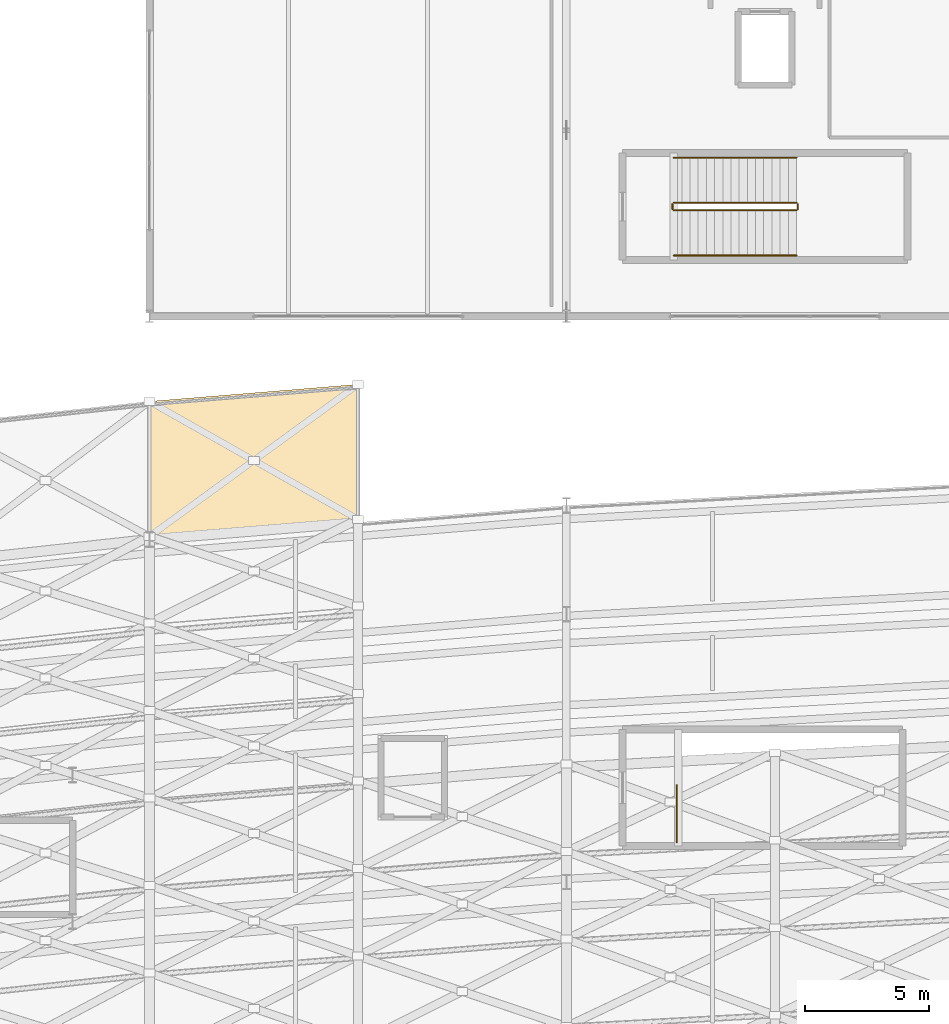
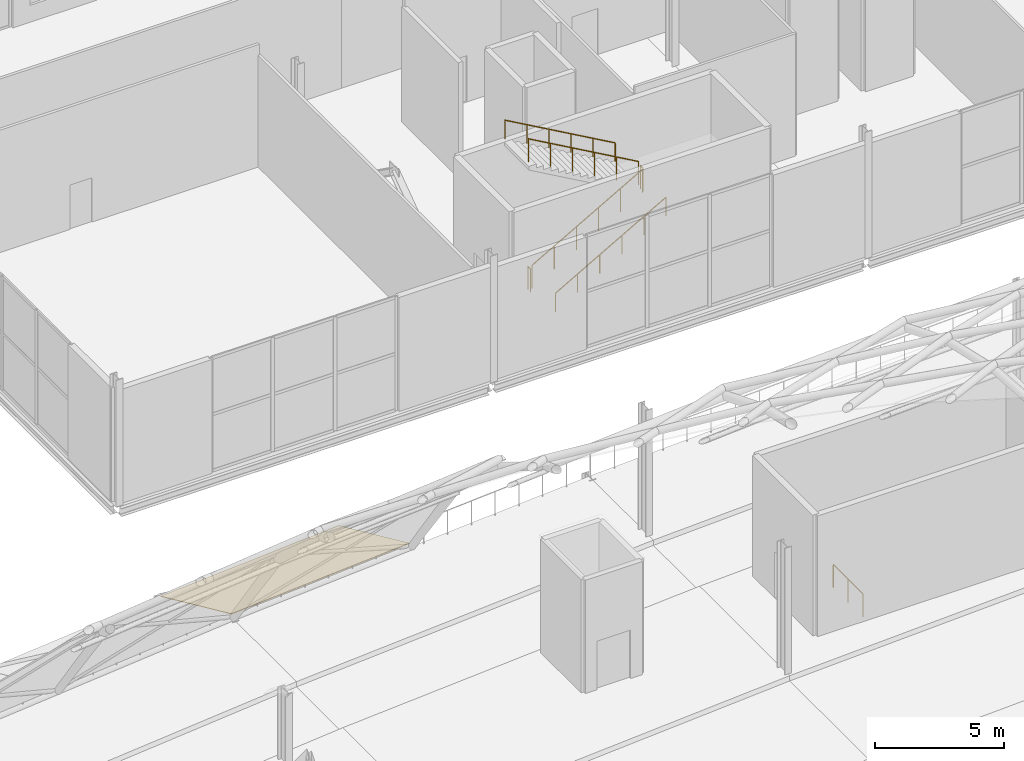
# One storey, part 92 of 100: 7 railings, 1 covering, 1 element without a shape of its own.
"""IFC4 building model written with IfcOpenShell, lengths in metres."""

from ifc_helpers import new_model, si_unit, direction, frame, origin, origin_2d, place, context, subcontext, project, spatial, polyline, circle, outline, extrude, material, layer, layer_set, type_object, element, aggregate, save


model = new_model("IFC4")

# Units and contexts
model_context = context("Model", 3, precision=1e-05, world=origin(), true_north=direction((0.0, 1.0)))
body_context = subcontext(model_context, "Body", "Model", "MODEL_VIEW")
ifc_project = project(units=[si_unit("LENGTHUNIT", "METRE"), si_unit("AREAUNIT", "SQUARE_METRE"), si_unit("VOLUMEUNIT", "CUBIC_METRE"), si_unit("PLANEANGLEUNIT", "RADIAN"), si_unit("MASSUNIT", "GRAM", prefix="KILO")], contexts=[model_context])

# Site, building, storey
site_placement = place(None, origin())
site = spatial("IfcSite", under=ifc_project, at=site_placement, CompositionType="ELEMENT")
building_placement = place(site_placement, origin())
building = spatial("IfcBuilding", under=site, at=building_placement, Name="Kimbaza Rail Terminus", CompositionType="ELEMENT")
storey_placement = place(building_placement, frame((0.0, 0.0, 10.800048828125)))
storey = spatial("IfcBuildingStorey", under=building, at=storey_placement, Name="L02", CompositionType="ELEMENT", Elevation=10.800048828125)

# Roof, covering
ifc_material_1 = material(Name="White painted steel S355", Category="steel")
roof_type = type_object("IfcRoofType", Name="ARC-RF-BARREL", PredefinedType="BARREL_ROOF", material=ifc_material_1)
roof_placement = place(storey_placement, origin())
roof = element("IfcRoof", 1, at=roof_placement, inside=storey, type_object=roof_type, Name="Train Shed Woven Barrel Vault Roof Bay 03", PredefinedType="BARREL_ROOF")
ifc_material_2 = material(Name="Pearl-white fluoropolymer standing-seam roofing", Category="aluminium")
ifc_layer = layer(ifc_material_2, 0.02490234375)
ifc_layer_set = layer_set([ifc_layer], Name="Pearl-white fluoropolymer standing-seam roofing")
covering_type = type_object("IfcCoveringType", Name="ARC-COV-VAULT", PredefinedType="ROOFING", material=ifc_layer_set)
covering_placement = place(storey_placement, frame((55.205078125, 94.072021484375, 0.146484375), z_axis=(-0.033768916948, 0.413566939027, 0.909847265859), x_axis=(0.996682983687, 0.081382000647, 0.0)))
covering = element("IfcCovering", 2, at=covering_placement, type_object=covering_type, Name="Vault Standing-Seam Eave Roofing Bay 03", PredefinedType="ROOFING", context=body_context, shape_type="SweptSolid", body=[
    extrude(outline(polyline([(0.0, 0.0), (8.417814606496611, 0.0), (8.86541561005365, 6.024919363909756), (0.44760100355704097, 6.024919363909756), (0.0, 0.0)])), origin(), (0.0, 0.0, -1.0), 0.02490234375),
])
aggregate(roof, [covering])

# Railings
ifc_material_3 = material(Name="Brushed stainless steel handrail", Category="steel")
railing_type_1 = type_object("IfcRailingType", Name="ARC-RL-HND92", PredefinedType="HANDRAIL", material=ifc_material_3)
railing_1_placement = place(storey_placement, frame((76.320068359375, 105.449951171875, 0.1875)))
element("IfcRailing", 3, at=railing_1_placement, inside=storey, type_object=railing_type_1, Name="L02 ST-W1 stair handrail 1", PredefinedType="HANDRAIL", context=body_context, shape_type="SweptSolid", body=[
    extrude(circle(Radius=0.02392578125, at=origin_2d()), frame((0.0, 0.0, 0.8759765625), z_axis=(0.869454464302, 0.0, 0.494013091431), x_axis=(0.0, 1.0, 0.0)), (0.0, 0.0, 1.0), 5.693115234375),
    extrude(circle(Radius=0.02099609375, at=origin_2d()), origin(), (0.0, 0.0, 1.0), 0.851806640625),
    extrude(circle(Radius=0.02099609375, at=origin_2d()), frame((0.989990234375, 0.0, 0.5625)), (0.0, 0.0, 1.0), 0.851806640625),
    extrude(circle(Radius=0.02099609375, at=origin_2d()), frame((1.97998046875, 0.0, 1.125)), (0.0, 0.0, 1.0), 0.851806640625),
    extrude(circle(Radius=0.02099609375, at=origin_2d()), frame((2.969970703125, 0.0, 1.6875)), (0.0, 0.0, 1.0), 0.851806640625),
    extrude(circle(Radius=0.02099609375, at=origin_2d()), frame((3.9599609375, 0.0, 2.25)), (0.0, 0.0, 1.0), 0.851806640625),
    extrude(circle(Radius=0.02099609375, at=origin_2d()), frame((4.949951171875, 0.0, 2.8125)), (0.0, 0.0, 1.0), 0.851806640625),
])
railing_2_placement = place(storey_placement, frame((81.27001953125, 109.389892578125, 3.1875)))
element("IfcRailing", 4, at=railing_2_placement, inside=storey, type_object=railing_type_1, Name="L02 ST-W1 stair handrail 2", PredefinedType="HANDRAIL", context=body_context, shape_type="SweptSolid", body=[
    extrude(circle(Radius=0.02392578125, at=origin_2d()), frame((0.0, 0.0, 0.8759765625), z_axis=(-0.869454464302, 0.0, 0.494013091431), x_axis=(0.0, -1.0, 0.0)), (0.0, 0.0, 1.0), 5.693115234375),
    extrude(circle(Radius=0.02099609375, at=origin_2d()), origin(), (0.0, 0.0, 1.0), 0.851806640625),
    extrude(circle(Radius=0.02099609375, at=origin_2d()), frame((-0.989990234375, 0.0, 0.5625)), (0.0, 0.0, 1.0), 0.851806640625),
    extrude(circle(Radius=0.02099609375, at=origin_2d()), frame((-1.97998046875, 0.0, 1.125)), (0.0, 0.0, 1.0), 0.851806640625),
    extrude(circle(Radius=0.02099609375, at=origin_2d()), frame((-2.969970703125, 0.0, 1.6875)), (0.0, 0.0, 1.0), 0.851806640625),
    extrude(circle(Radius=0.02099609375, at=origin_2d()), frame((-3.9599609375, 0.0, 2.25)), (0.0, 0.0, 1.0), 0.851806640625),
    extrude(circle(Radius=0.02099609375, at=origin_2d()), frame((-4.949951171875, 0.0, 2.8125)), (0.0, 0.0, 1.0), 0.851806640625),
])
ifc_material_4 = material(Name="Painted tubular steel stair well guard", Category="steel")
railing_type_2 = type_object("IfcRailingType", Name="ARC-RL-STGRD", PredefinedType="GUARDRAIL", material=ifc_material_4)
railing_3_placement = place(storey_placement, frame((76.320068359375, 107.27001953125, 0.1875)))
element("IfcRailing", 5, at=railing_3_placement, inside=storey, type_object=railing_type_2, Name="L02 ST-W1 stair guard 1", PredefinedType="GUARDRAIL", context=body_context, shape_type="SweptSolid", body=[
    extrude(circle(Radius=0.02392578125, at=origin_2d()), frame((0.0, 0.0, 1.09619140625), z_axis=(0.869454464302, 0.0, 0.494013091431), x_axis=(0.0, 1.0, 0.0)), (0.0, 0.0, 1.0), 5.693115234375),
    extrude(circle(Radius=0.02099609375, at=origin_2d()), origin(), (0.0, 0.0, 1.0), 1.072021484375),
    extrude(circle(Radius=0.02099609375, at=origin_2d()), frame((0.989990234375, 0.0, 0.5625)), (0.0, 0.0, 1.0), 1.072021484375),
    extrude(circle(Radius=0.02099609375, at=origin_2d()), frame((1.97998046875, 0.0, 1.125)), (0.0, 0.0, 1.0), 1.072021484375),
    extrude(circle(Radius=0.02099609375, at=origin_2d()), frame((2.969970703125, 0.0, 1.6875)), (0.0, 0.0, 1.0), 1.072021484375),
    extrude(circle(Radius=0.02099609375, at=origin_2d()), frame((3.9599609375, 0.0, 2.25)), (0.0, 0.0, 1.0), 1.072021484375),
    extrude(circle(Radius=0.02099609375, at=origin_2d()), frame((4.949951171875, 0.0, 2.8125)), (0.0, 0.0, 1.0), 1.072021484375),
])
railing_4_placement = place(storey_placement, frame((81.320068359375, 107.320068359375, 3.0)))
element("IfcRailing", 6, at=railing_4_placement, inside=storey, type_object=railing_type_2, Name="L02 ST-W1 stair guard 2", PredefinedType="GUARDRAIL", context=body_context, shape_type="SweptSolid", body=[
    extrude(circle(Radius=0.02392578125, at=origin_2d()), frame((0.0, 0.0, 1.09619140625), z_axis=(0.0, 1.0, 0.0), x_axis=(-1.0, 0.0, 0.0)), (0.0, 0.0, 1.0), 0.199951171875),
    extrude(circle(Radius=0.02099609375, at=origin_2d()), origin(), (0.0, 0.0, 1.0), 1.072021484375),
    extrude(circle(Radius=0.02099609375, at=origin_2d()), frame((0.0, 0.199951171875, 0.0)), (0.0, 0.0, 1.0), 1.072021484375),
])
railing_5_placement = place(storey_placement, frame((81.27001953125, 107.570068359375, 3.1875)))
element("IfcRailing", 7, at=railing_5_placement, inside=storey, type_object=railing_type_2, Name="L02 ST-W1 stair guard 3", PredefinedType="GUARDRAIL", context=body_context, shape_type="SweptSolid", body=[
    extrude(circle(Radius=0.02392578125, at=origin_2d()), frame((0.0, 0.0, 1.09619140625), z_axis=(-0.869454464302, 0.0, 0.494013091431), x_axis=(0.0, -1.0, 0.0)), (0.0, 0.0, 1.0), 5.693115234375),
    extrude(circle(Radius=0.02099609375, at=origin_2d()), origin(), (0.0, 0.0, 1.0), 1.072021484375),
    extrude(circle(Radius=0.02099609375, at=origin_2d()), frame((-0.989990234375, 0.0, 0.5625)), (0.0, 0.0, 1.0), 1.072021484375),
    extrude(circle(Radius=0.02099609375, at=origin_2d()), frame((-1.97998046875, 0.0, 1.125)), (0.0, 0.0, 1.0), 1.072021484375),
    extrude(circle(Radius=0.02099609375, at=origin_2d()), frame((-2.969970703125, 0.0, 1.6875)), (0.0, 0.0, 1.0), 1.072021484375),
    extrude(circle(Radius=0.02099609375, at=origin_2d()), frame((-3.9599609375, 0.0, 2.25)), (0.0, 0.0, 1.0), 1.072021484375),
    extrude(circle(Radius=0.02099609375, at=origin_2d()), frame((-4.949951171875, 0.0, 2.8125)), (0.0, 0.0, 1.0), 1.072021484375),
])
railing_6_placement = place(storey_placement, frame((76.27001953125, 107.320068359375, 0.0)))
element("IfcRailing", 8, at=railing_6_placement, inside=storey, type_object=railing_type_2, Name="L02 ST-W1 stair guard 4", PredefinedType="GUARDRAIL", context=body_context, shape_type="SweptSolid", body=[
    extrude(circle(Radius=0.02392578125, at=origin_2d()), frame((0.0, 0.0, 1.09619140625), z_axis=(0.0, 1.0, 0.0), x_axis=(-1.0, 0.0, 0.0)), (0.0, 0.0, 1.0), 0.199951171875),
    extrude(circle(Radius=0.02099609375, at=origin_2d()), origin(), (0.0, 0.0, 1.0), 1.072021484375),
    extrude(circle(Radius=0.02099609375, at=origin_2d()), frame((0.0, 0.199951171875, 0.0)), (0.0, 0.0, 1.0), 1.072021484375),
])
railing_7_placement = place(storey_placement, frame((76.449951171875, 81.800048828125, 0.0)))
element("IfcRailing", 9, at=railing_7_placement, inside=storey, type_object=railing_type_2, Name="L02 ST-C1 top well guard 1", PredefinedType="GUARDRAIL", context=body_context, shape_type="SweptSolid", body=[
    extrude(circle(Radius=0.02392578125, at=origin_2d()), frame((0.0, 0.0, 1.09619140625), z_axis=(0.0, 1.0, 0.0), x_axis=(-1.0, 0.0, 0.0)), (0.0, 0.0, 1.0), 2.300048828125),
    extrude(circle(Radius=0.02099609375, at=origin_2d()), origin(), (0.0, 0.0, 1.0), 1.072021484375),
    extrude(circle(Radius=0.02099609375, at=origin_2d()), frame((0.0, 1.14990234375, 0.0)), (0.0, 0.0, 1.0), 1.072021484375),
    extrude(circle(Radius=0.02099609375, at=origin_2d()), frame((0.0, 2.300048828125, 0.0)), (0.0, 0.0, 1.0), 1.072021484375),
])

save(model, "model.ifc")
